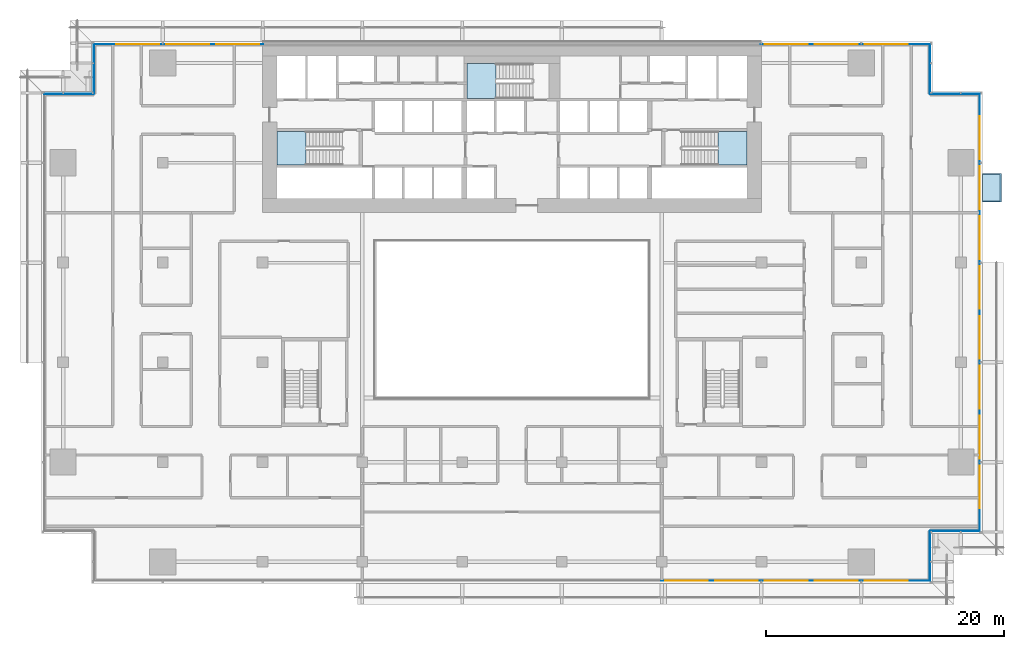
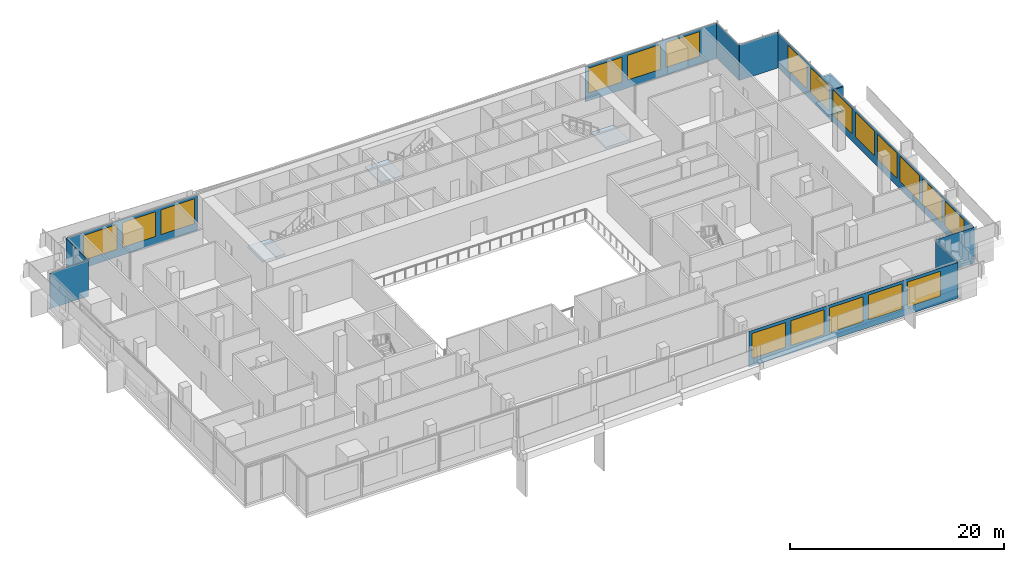
# One storey, part 12 of 24: 19 windows, 12 plates, 4 slabs, 19 openings, 12 elements without a shape of their own.
"""IFC4 building model written with IfcOpenShell, lengths in metres."""

from ifc_helpers import new_model, si_unit, direction, frame, frame_2d, origin, place, context, subcontext, project, spatial, polyline, rectangle, outline, extrude, material, layer, layer_set, type_object, element, fill, aggregate, save


model = new_model("IFC4")

# Units and contexts
model_context = context("Model", 3, precision=1e-05, world=origin(), true_north=direction((0.0, 1.0)))
body_context = subcontext(model_context, "Body", "Model", "MODEL_VIEW")
ifc_project = project(units=[si_unit("LENGTHUNIT", "METRE"), si_unit("AREAUNIT", "SQUARE_METRE"), si_unit("VOLUMEUNIT", "CUBIC_METRE"), si_unit("PLANEANGLEUNIT", "RADIAN"), si_unit("MASSUNIT", "GRAM", prefix="KILO")], contexts=[model_context])

# Site, building, storey
site_placement = place(None, origin())
site = spatial("IfcSite", under=ifc_project, at=site_placement, CompositionType="ELEMENT")
building_placement = place(site_placement, origin())
building = spatial("IfcBuilding", under=site, at=building_placement, Name="Saffron Gate Tower", CompositionType="ELEMENT")
storey_placement = place(building_placement, frame((0.0, 0.0, 28.199951171875)))
storey = spatial("IfcBuildingStorey", under=building, at=storey_placement, Name="L05", CompositionType="ELEMENT", Elevation=28.199951171875)

# Curtain wall, plate, openings, windows
ifc_material_1 = material(Name="Aluminium, bronze anodised", Category="aluminium")
curtain_wall_type = type_object("IfcCurtainWallType", Name="CWS6 curtain wall tall storeys", PredefinedType="NOTDEFINED", material=ifc_material_1)
curtain_wall_1_placement = place(storey_placement, origin())
curtain_wall_1 = element("IfcCurtainWall", 1, at=curtain_wall_1_placement, inside=storey, type_object=curtain_wall_type, Name="CWS6 run 1", PredefinedType="NOTDEFINED")
ifc_material_2 = material(Name="Fritted bronze-tinted laminated glass", Category="glass")
ifc_layer_1 = layer(ifc_material_2, 0.028076171875)
ifc_layer_set_1 = layer_set([ifc_layer_1], Name="CWS6 fixed glass")
plate_type_1 = type_object("IfcPlateType", Name="CWS6 fixed glass", PredefinedType="CURTAIN_PANEL", material=ifc_layer_set_1)
plate_1_placement = place(storey_placement, frame((100.159912109375, 30.214111328125, 0.0), z_axis=(0.0, 0.0, 1.0), x_axis=(1.0, 0.0, 0.0)))
plate_1 = element("IfcPlate", 2, at=plate_1_placement, type_object=plate_type_1, Name="CWS6 glass panel", PredefinedType="CURTAIN_PANEL", context=body_context, shape_type="SweptSolid", body=[
    extrude(rectangle(XDim=22.612060546875, YDim=0.028076171875, at=frame_2d((11.30615234375, 0.0))), origin(), (0.0, 0.0, 1.0), 4.080078125),
])
opening_1_placement = place(plate_1_placement, frame((0.340087890625, 0.0, 0.89990234375)))
opening_1 = element("IfcOpeningElement", 3, at=opening_1_placement, cuts=plate_1, Name="Opening W3", PredefinedType="OPENING", context=body_context, shape_type="SweptSolid", body=[
    extrude(rectangle(XDim=3.60009765625, YDim=2.830078125, at=frame_2d((1.800048828125, 1.4150390625))), frame((0.0, 0.02392578125, 0.0), z_axis=(0.0, -1.0, 0.0), x_axis=(1.0, 0.0, 0.0)), (0.0, 0.0, 1.0), 0.048095703125),
])
opening_2_placement = place(plate_1_placement, frame((4.5400390625, 0.0, 0.89990234375)))
opening_2 = element("IfcOpeningElement", 4, at=opening_2_placement, cuts=plate_1, Name="Opening W3", PredefinedType="OPENING", context=body_context, shape_type="SweptSolid", body=[
    extrude(rectangle(XDim=3.60009765625, YDim=2.830078125, at=frame_2d((1.800048828125, 1.4150390625))), frame((0.0, 0.02392578125, 0.0), z_axis=(0.0, -1.0, 0.0), x_axis=(1.0, 0.0, 0.0)), (0.0, 0.0, 1.0), 0.048095703125),
])
opening_3_placement = place(plate_1_placement, frame((8.739990234375, 0.0, 0.89990234375)))
opening_3 = element("IfcOpeningElement", 5, at=opening_3_placement, cuts=plate_1, Name="Opening W3", PredefinedType="OPENING", context=body_context, shape_type="SweptSolid", body=[
    extrude(rectangle(XDim=3.60009765625, YDim=2.830078125, at=frame_2d((1.800048828125, 1.4150390625))), frame((0.0, 0.02392578125, 0.0), z_axis=(0.0, -1.0, 0.0), x_axis=(1.0, 0.0, 0.0)), (0.0, 0.0, 1.0), 0.048095703125),
])
opening_4_placement = place(plate_1_placement, frame((12.93994140625, 0.0, 0.89990234375)))
opening_4 = element("IfcOpeningElement", 6, at=opening_4_placement, cuts=plate_1, Name="Opening W3", PredefinedType="OPENING", context=body_context, shape_type="SweptSolid", body=[
    extrude(rectangle(XDim=3.60009765625, YDim=2.830078125, at=frame_2d((1.800048828125, 1.4150390625))), frame((0.0, 0.02392578125, 0.0), z_axis=(0.0, -1.0, 0.0), x_axis=(1.0, 0.0, 0.0)), (0.0, 0.0, 1.0), 0.048095703125),
])
opening_5_placement = place(plate_1_placement, frame((17.139892578125, 0.0, 0.89990234375)))
opening_5 = element("IfcOpeningElement", 7, at=opening_5_placement, cuts=plate_1, Name="Opening W3", PredefinedType="OPENING", context=body_context, shape_type="SweptSolid", body=[
    extrude(rectangle(XDim=3.60009765625, YDim=2.830078125, at=frame_2d((1.800048828125, 1.4150390625))), frame((0.0, 0.02392578125, 0.0), z_axis=(0.0, -1.0, 0.0), x_axis=(1.0, 0.0, 0.0)), (0.0, 0.0, 1.0), 0.048095703125),
])
ifc_material_3 = material(Name="Fritted bronze-tinted laminated glass in bronze frame", Category="glass")
ifc_layer_2 = layer(ifc_material_3, 0.06005859375)
ifc_layer_set_2 = layer_set([ifc_layer_2], Name="W3 operable panel 3600x2830")
window_type = type_object("IfcWindowType", Name="W3 operable panel 3600x2830", PartitioningType="DOUBLE_PANEL_HORIZONTAL", PredefinedType="WINDOW", material=ifc_layer_set_2)
window_1_placement = place(opening_1_placement, origin())
window_1 = element("IfcWindow", 8, at=window_1_placement, type_object=window_type, Name="W3 operable panel", OverallHeight=2.830078125, OverallWidth=3.60009765625, PartitioningType="SINGLE_PANEL", PredefinedType="WINDOW", context=body_context, shape_type="SweptSolid", body=[
    extrude(rectangle(XDim=3.60009765625, YDim=2.830078125, at=frame_2d((1.800048828125, 1.4150390625))), frame((0.0, 0.013671875, 0.0), z_axis=(0.0, -1.0, 0.0), x_axis=(1.0, 0.0, 0.0)), (0.0, 0.0, 1.0), 0.027587890625),
])
fill(opening_1, window_1)
window_2_placement = place(opening_2_placement, origin())
window_2 = element("IfcWindow", 9, at=window_2_placement, type_object=window_type, Name="W3 operable panel", OverallHeight=2.830078125, OverallWidth=3.60009765625, PartitioningType="SINGLE_PANEL", PredefinedType="WINDOW", context=body_context, shape_type="SweptSolid", body=[
    extrude(rectangle(XDim=3.60009765625, YDim=2.830078125, at=frame_2d((1.800048828125, 1.4150390625))), frame((0.0, 0.013671875, 0.0), z_axis=(0.0, -1.0, 0.0), x_axis=(1.0, 0.0, 0.0)), (0.0, 0.0, 1.0), 0.027587890625),
])
fill(opening_2, window_2)
window_3_placement = place(opening_3_placement, origin())
window_3 = element("IfcWindow", 10, at=window_3_placement, type_object=window_type, Name="W3 operable panel", OverallHeight=2.830078125, OverallWidth=3.60009765625, PartitioningType="SINGLE_PANEL", PredefinedType="WINDOW", context=body_context, shape_type="SweptSolid", body=[
    extrude(rectangle(XDim=3.60009765625, YDim=2.830078125, at=frame_2d((1.800048828125, 1.4150390625))), frame((0.0, 0.013671875, 0.0), z_axis=(0.0, -1.0, 0.0), x_axis=(1.0, 0.0, 0.0)), (0.0, 0.0, 1.0), 0.027587890625),
])
fill(opening_3, window_3)
window_4_placement = place(opening_4_placement, origin())
window_4 = element("IfcWindow", 11, at=window_4_placement, type_object=window_type, Name="W3 operable panel", OverallHeight=2.830078125, OverallWidth=3.60009765625, PartitioningType="SINGLE_PANEL", PredefinedType="WINDOW", context=body_context, shape_type="SweptSolid", body=[
    extrude(rectangle(XDim=3.60009765625, YDim=2.830078125, at=frame_2d((1.800048828125, 1.4150390625))), frame((0.0, 0.013671875, 0.0), z_axis=(0.0, -1.0, 0.0), x_axis=(1.0, 0.0, 0.0)), (0.0, 0.0, 1.0), 0.027587890625),
])
fill(opening_4, window_4)
window_5_placement = place(opening_5_placement, origin())
window_5 = element("IfcWindow", 12, at=window_5_placement, type_object=window_type, Name="W3 operable panel", OverallHeight=2.830078125, OverallWidth=3.60009765625, PartitioningType="SINGLE_PANEL", PredefinedType="WINDOW", context=body_context, shape_type="SweptSolid", body=[
    extrude(rectangle(XDim=3.60009765625, YDim=2.830078125, at=frame_2d((1.800048828125, 1.4150390625))), frame((0.0, 0.013671875, 0.0), z_axis=(0.0, -1.0, 0.0), x_axis=(1.0, 0.0, 0.0)), (0.0, 0.0, 1.0), 0.027587890625),
])
fill(opening_5, window_5)
aggregate(curtain_wall_1, [plate_1, window_1, window_2, window_3, window_4, window_5])

# Curtain wall, plate
curtain_wall_2_placement = place(storey_placement, origin())
curtain_wall_2 = element("IfcCurtainWall", 13, at=curtain_wall_2_placement, inside=storey, type_object=curtain_wall_type, Name="CWS6 run 2", PredefinedType="NOTDEFINED")
plate_2_placement = place(storey_placement, frame((122.785888671875, 30.22802734375, 0.0), z_axis=(0.0, 0.0, 1.0), x_axis=(0.0, 1.0, 0.0)))
plate_2 = element("IfcPlate", 14, at=plate_2_placement, type_object=plate_type_1, Name="CWS6 glass panel", PredefinedType="CURTAIN_PANEL", context=body_context, shape_type="SweptSolid", body=[
    extrude(rectangle(XDim=4.171875, YDim=0.028076171875, at=frame_2d((2.0859375, 0.0))), origin(), (0.0, 0.0, 1.0), 4.080078125),
])
aggregate(curtain_wall_2, [plate_2])

curtain_wall_3_placement = place(storey_placement, origin())
curtain_wall_3 = element("IfcCurtainWall", 15, at=curtain_wall_3_placement, inside=storey, type_object=curtain_wall_type, Name="CWS6 run 3", PredefinedType="NOTDEFINED")
plate_3_placement = place(storey_placement, frame((122.800048828125, 34.4140625, 0.0), z_axis=(0.0, 0.0, 1.0), x_axis=(1.0, 0.0, 0.0)))
plate_3 = element("IfcPlate", 16, at=plate_3_placement, type_object=plate_type_1, Name="CWS6 glass panel", PredefinedType="CURTAIN_PANEL", context=body_context, shape_type="SweptSolid", body=[
    extrude(rectangle(XDim=4.171875, YDim=0.028076171875, at=frame_2d((2.0859375, 0.0))), origin(), (0.0, 0.0, 1.0), 4.080078125),
])
aggregate(curtain_wall_3, [plate_3])

# Curtain wall, plate, openings, windows
curtain_wall_4_placement = place(storey_placement, origin())
curtain_wall_4 = element("IfcCurtainWall", 17, at=curtain_wall_4_placement, inside=storey, type_object=curtain_wall_type, Name="CWS6 run 4", PredefinedType="NOTDEFINED")
plate_4_placement = place(storey_placement, frame((126.986083984375, 34.427978515625, 0.0), z_axis=(0.0, 0.0, 1.0), x_axis=(0.0, 1.0, 0.0)))
plate_4 = element("IfcPlate", 18, at=plate_4_placement, type_object=plate_type_1, Name="CWS6 glass panel", PredefinedType="CURTAIN_PANEL", context=body_context, shape_type="SweptSolid", body=[
    extrude(rectangle(XDim=36.744140625, YDim=0.028076171875, at=frame_2d((18.3720703125, 0.0))), origin(), (0.0, 0.0, 1.0), 4.080078125),
])
opening_6_placement = place(plate_4_placement, frame((1.8720703125, 0.0, 0.89990234375)))
opening_6 = element("IfcOpeningElement", 19, at=opening_6_placement, cuts=plate_4, Name="Opening W3", PredefinedType="OPENING", context=body_context, shape_type="SweptSolid", body=[
    extrude(rectangle(XDim=3.60009765625, YDim=2.830078125, at=frame_2d((1.800048828125, 1.4150390625))), frame((0.0, 0.02392578125, 0.0), z_axis=(0.0, -1.0, 0.0), x_axis=(1.0, 0.0, 0.0)), (0.0, 0.0, 1.0), 0.048095703125),
])
opening_7_placement = place(plate_4_placement, frame((6.072021484375, 0.0, 0.89990234375)))
opening_7 = element("IfcOpeningElement", 20, at=opening_7_placement, cuts=plate_4, Name="Opening W3", PredefinedType="OPENING", context=body_context, shape_type="SweptSolid", body=[
    extrude(rectangle(XDim=3.60009765625, YDim=2.830078125, at=frame_2d((1.800048828125, 1.4150390625))), frame((0.0, 0.02392578125, 0.0), z_axis=(0.0, -1.0, 0.0), x_axis=(1.0, 0.0, 0.0)), (0.0, 0.0, 1.0), 0.048095703125),
])
opening_8_placement = place(plate_4_placement, frame((10.27197265625, 0.0, 0.89990234375)))
opening_8 = element("IfcOpeningElement", 21, at=opening_8_placement, cuts=plate_4, Name="Opening W3", PredefinedType="OPENING", context=body_context, shape_type="SweptSolid", body=[
    extrude(rectangle(XDim=3.60009765625, YDim=2.830078125, at=frame_2d((1.800048828125, 1.4150390625))), frame((0.0, 0.02392578125, 0.0), z_axis=(0.0, -1.0, 0.0), x_axis=(1.0, 0.0, 0.0)), (0.0, 0.0, 1.0), 0.048095703125),
])
opening_9_placement = place(plate_4_placement, frame((14.471923828125, 0.0, 0.89990234375)))
opening_9 = element("IfcOpeningElement", 22, at=opening_9_placement, cuts=plate_4, Name="Opening W3", PredefinedType="OPENING", context=body_context, shape_type="SweptSolid", body=[
    extrude(rectangle(XDim=3.60009765625, YDim=2.830078125, at=frame_2d((1.800048828125, 1.4150390625))), frame((0.0, 0.02392578125, 0.0), z_axis=(0.0, -1.0, 0.0), x_axis=(1.0, 0.0, 0.0)), (0.0, 0.0, 1.0), 0.048095703125),
])
opening_10_placement = place(plate_4_placement, frame((18.672119140625, 0.0, 0.89990234375)))
opening_10 = element("IfcOpeningElement", 23, at=opening_10_placement, cuts=plate_4, Name="Opening W3", PredefinedType="OPENING", context=body_context, shape_type="SweptSolid", body=[
    extrude(rectangle(XDim=3.60009765625, YDim=2.830078125, at=frame_2d((1.800048828125, 1.4150390625))), frame((0.0, 0.02392578125, 0.0), z_axis=(0.0, -1.0, 0.0), x_axis=(1.0, 0.0, 0.0)), (0.0, 0.0, 1.0), 0.048095703125),
])
opening_11_placement = place(plate_4_placement, frame((22.8720703125, 0.0, 0.89990234375)))
opening_11 = element("IfcOpeningElement", 24, at=opening_11_placement, cuts=plate_4, Name="Opening W3", PredefinedType="OPENING", context=body_context, shape_type="SweptSolid", body=[
    extrude(rectangle(XDim=3.60009765625, YDim=2.830078125, at=frame_2d((1.800048828125, 1.4150390625))), frame((0.0, 0.02392578125, 0.0), z_axis=(0.0, -1.0, 0.0), x_axis=(1.0, 0.0, 0.0)), (0.0, 0.0, 1.0), 0.048095703125),
])
opening_12_placement = place(plate_4_placement, frame((27.072021484375, 0.0, 0.89990234375)))
opening_12 = element("IfcOpeningElement", 25, at=opening_12_placement, cuts=plate_4, Name="Opening W3", PredefinedType="OPENING", context=body_context, shape_type="SweptSolid", body=[
    extrude(rectangle(XDim=3.60009765625, YDim=2.830078125, at=frame_2d((1.800048828125, 1.4150390625))), frame((0.0, 0.02392578125, 0.0), z_axis=(0.0, -1.0, 0.0), x_axis=(1.0, 0.0, 0.0)), (0.0, 0.0, 1.0), 0.048095703125),
])
opening_13_placement = place(plate_4_placement, frame((31.27197265625, 0.0, 0.89990234375)))
opening_13 = element("IfcOpeningElement", 26, at=opening_13_placement, cuts=plate_4, Name="Opening W3", PredefinedType="OPENING", context=body_context, shape_type="SweptSolid", body=[
    extrude(rectangle(XDim=3.60009765625, YDim=2.830078125, at=frame_2d((1.800048828125, 1.4150390625))), frame((0.0, 0.02392578125, 0.0), z_axis=(0.0, -1.0, 0.0), x_axis=(1.0, 0.0, 0.0)), (0.0, 0.0, 1.0), 0.048095703125),
])
window_6_placement = place(opening_6_placement, origin())
window_6 = element("IfcWindow", 27, at=window_6_placement, type_object=window_type, Name="W3 operable panel", OverallHeight=2.830078125, OverallWidth=3.60009765625, PartitioningType="SINGLE_PANEL", PredefinedType="WINDOW", context=body_context, shape_type="SweptSolid", body=[
    extrude(rectangle(XDim=3.60009765625, YDim=2.830078125, at=frame_2d((1.800048828125, 1.4150390625))), frame((0.0, 0.013671875, 0.0), z_axis=(0.0, -1.0, 0.0), x_axis=(1.0, 0.0, 0.0)), (0.0, 0.0, 1.0), 0.027587890625),
])
fill(opening_6, window_6)
window_7_placement = place(opening_7_placement, origin())
window_7 = element("IfcWindow", 28, at=window_7_placement, type_object=window_type, Name="W3 operable panel", OverallHeight=2.830078125, OverallWidth=3.60009765625, PartitioningType="SINGLE_PANEL", PredefinedType="WINDOW", context=body_context, shape_type="SweptSolid", body=[
    extrude(rectangle(XDim=3.60009765625, YDim=2.830078125, at=frame_2d((1.800048828125, 1.4150390625))), frame((0.0, 0.013671875, 0.0), z_axis=(0.0, -1.0, 0.0), x_axis=(1.0, 0.0, 0.0)), (0.0, 0.0, 1.0), 0.027587890625),
])
fill(opening_7, window_7)
window_8_placement = place(opening_8_placement, origin())
window_8 = element("IfcWindow", 29, at=window_8_placement, type_object=window_type, Name="W3 operable panel", OverallHeight=2.830078125, OverallWidth=3.60009765625, PartitioningType="SINGLE_PANEL", PredefinedType="WINDOW", context=body_context, shape_type="SweptSolid", body=[
    extrude(rectangle(XDim=3.60009765625, YDim=2.830078125, at=frame_2d((1.800048828125, 1.4150390625))), frame((0.0, 0.013671875, 0.0), z_axis=(0.0, -1.0, 0.0), x_axis=(1.0, 0.0, 0.0)), (0.0, 0.0, 1.0), 0.027587890625),
])
fill(opening_8, window_8)
window_9_placement = place(opening_9_placement, origin())
window_9 = element("IfcWindow", 30, at=window_9_placement, type_object=window_type, Name="W3 operable panel", OverallHeight=2.830078125, OverallWidth=3.60009765625, PartitioningType="SINGLE_PANEL", PredefinedType="WINDOW", context=body_context, shape_type="SweptSolid", body=[
    extrude(rectangle(XDim=3.60009765625, YDim=2.830078125, at=frame_2d((1.800048828125, 1.4150390625))), frame((0.0, 0.013671875, 0.0), z_axis=(0.0, -1.0, 0.0), x_axis=(1.0, 0.0, 0.0)), (0.0, 0.0, 1.0), 0.027587890625),
])
fill(opening_9, window_9)
window_10_placement = place(opening_10_placement, origin())
window_10 = element("IfcWindow", 31, at=window_10_placement, type_object=window_type, Name="W3 operable panel", OverallHeight=2.830078125, OverallWidth=3.60009765625, PartitioningType="SINGLE_PANEL", PredefinedType="WINDOW", context=body_context, shape_type="SweptSolid", body=[
    extrude(rectangle(XDim=3.60009765625, YDim=2.830078125, at=frame_2d((1.800048828125, 1.4150390625))), frame((0.0, 0.013671875, 0.0), z_axis=(0.0, -1.0, 0.0), x_axis=(1.0, 0.0, 0.0)), (0.0, 0.0, 1.0), 0.027587890625),
])
fill(opening_10, window_10)
window_11_placement = place(opening_11_placement, origin())
window_11 = element("IfcWindow", 32, at=window_11_placement, type_object=window_type, Name="W3 operable panel", OverallHeight=2.830078125, OverallWidth=3.60009765625, PartitioningType="SINGLE_PANEL", PredefinedType="WINDOW", context=body_context, shape_type="SweptSolid", body=[
    extrude(rectangle(XDim=3.60009765625, YDim=2.830078125, at=frame_2d((1.800048828125, 1.4150390625))), frame((0.0, 0.013671875, 0.0), z_axis=(0.0, -1.0, 0.0), x_axis=(1.0, 0.0, 0.0)), (0.0, 0.0, 1.0), 0.027587890625),
])
fill(opening_11, window_11)
window_12_placement = place(opening_12_placement, origin())
window_12 = element("IfcWindow", 33, at=window_12_placement, type_object=window_type, Name="W3 operable panel", OverallHeight=2.830078125, OverallWidth=3.60009765625, PartitioningType="SINGLE_PANEL", PredefinedType="WINDOW", context=body_context, shape_type="SweptSolid", body=[
    extrude(rectangle(XDim=3.60009765625, YDim=2.830078125, at=frame_2d((1.800048828125, 1.4150390625))), frame((0.0, 0.013671875, 0.0), z_axis=(0.0, -1.0, 0.0), x_axis=(1.0, 0.0, 0.0)), (0.0, 0.0, 1.0), 0.027587890625),
])
fill(opening_12, window_12)
window_13_placement = place(opening_13_placement, origin())
window_13 = element("IfcWindow", 34, at=window_13_placement, type_object=window_type, Name="W3 operable panel", OverallHeight=2.830078125, OverallWidth=3.60009765625, PartitioningType="SINGLE_PANEL", PredefinedType="WINDOW", context=body_context, shape_type="SweptSolid", body=[
    extrude(rectangle(XDim=3.60009765625, YDim=2.830078125, at=frame_2d((1.800048828125, 1.4150390625))), frame((0.0, 0.013671875, 0.0), z_axis=(0.0, -1.0, 0.0), x_axis=(1.0, 0.0, 0.0)), (0.0, 0.0, 1.0), 0.027587890625),
])
fill(opening_13, window_13)
aggregate(curtain_wall_4, [plate_4, window_6, window_7, window_8, window_9, window_10, window_11, window_12, window_13])

# Curtain wall, plate
curtain_wall_5_placement = place(storey_placement, origin())
curtain_wall_5 = element("IfcCurtainWall", 35, at=curtain_wall_5_placement, inside=storey, type_object=curtain_wall_type, Name="CWS6 run 5", PredefinedType="NOTDEFINED")
plate_5_placement = place(storey_placement, frame((126.971923828125, 71.18603515625, 0.0), z_axis=(0.0, 0.0, 1.0), x_axis=(-1.0, 0.0, 0.0)))
plate_5 = element("IfcPlate", 36, at=plate_5_placement, type_object=plate_type_1, Name="CWS6 glass panel", PredefinedType="CURTAIN_PANEL", context=body_context, shape_type="SweptSolid", body=[
    extrude(rectangle(XDim=4.171875, YDim=0.028076171875, at=frame_2d((2.0859375, 0.0))), origin(), (0.0, 0.0, 1.0), 4.080078125),
])
aggregate(curtain_wall_5, [plate_5])

curtain_wall_6_placement = place(storey_placement, origin())
curtain_wall_6 = element("IfcCurtainWall", 37, at=curtain_wall_6_placement, inside=storey, type_object=curtain_wall_type, Name="CWS6 run 6", PredefinedType="NOTDEFINED")
plate_6_placement = place(storey_placement, frame((122.785888671875, 71.199951171875, 0.0), z_axis=(0.0, 0.0, 1.0), x_axis=(0.0, 1.0, 0.0)))
plate_6 = element("IfcPlate", 38, at=plate_6_placement, type_object=plate_type_1, Name="CWS6 glass panel", PredefinedType="CURTAIN_PANEL", context=body_context, shape_type="SweptSolid", body=[
    extrude(rectangle(XDim=4.172119140625, YDim=0.028076171875, at=frame_2d((2.0859375, 0.0))), origin(), (0.0, 0.0, 1.0), 4.080078125),
])
aggregate(curtain_wall_6, [plate_6])

# Curtain wall, plates, openings, windows
curtain_wall_7_placement = place(storey_placement, origin())
curtain_wall_7 = element("IfcCurtainWall", 39, at=curtain_wall_7_placement, inside=storey, type_object=curtain_wall_type, Name="CWS6 run 7", PredefinedType="NOTDEFINED")
plate_7_placement = place(storey_placement, frame((122.77197265625, 75.385986328125, 0.0), z_axis=(0.0, 0.0, 1.0), x_axis=(-1.0, 0.0, 0.0)))
plate_7 = element("IfcPlate", 40, at=plate_7_placement, type_object=plate_type_1, Name="CWS6 glass panel", PredefinedType="CURTAIN_PANEL", context=body_context, shape_type="SweptSolid", body=[
    extrude(rectangle(XDim=14.2119140625, YDim=0.028076171875, at=frame_2d((7.10595703125, 0.0))), origin(), (0.0, 0.0, 1.0), 4.080078125),
])
opening_14_placement = place(plate_7_placement, frame((1.8720703125, 0.0, 0.89990234375)))
opening_14 = element("IfcOpeningElement", 41, at=opening_14_placement, cuts=plate_7, Name="Opening W3", PredefinedType="OPENING", context=body_context, shape_type="SweptSolid", body=[
    extrude(rectangle(XDim=3.60009765625, YDim=2.830078125, at=frame_2d((1.800048828125, 1.4150390625))), frame((0.0, 0.02392578125, 0.0), z_axis=(0.0, -1.0, 0.0), x_axis=(1.0, 0.0, 0.0)), (0.0, 0.0, 1.0), 0.048095703125),
])
opening_15_placement = place(plate_7_placement, frame((6.072021484375, 0.0, 0.89990234375)))
opening_15 = element("IfcOpeningElement", 42, at=opening_15_placement, cuts=plate_7, Name="Opening W3", PredefinedType="OPENING", context=body_context, shape_type="SweptSolid", body=[
    extrude(rectangle(XDim=3.60009765625, YDim=2.830078125, at=frame_2d((1.800048828125, 1.4150390625))), frame((0.0, 0.02392578125, 0.0), z_axis=(0.0, -1.0, 0.0), x_axis=(1.0, 0.0, 0.0)), (0.0, 0.0, 1.0), 0.048095703125),
])
opening_16_placement = place(plate_7_placement, frame((10.27197265625, 0.0, 0.89990234375)))
opening_16 = element("IfcOpeningElement", 43, at=opening_16_placement, cuts=plate_7, Name="Opening W3", PredefinedType="OPENING", context=body_context, shape_type="SweptSolid", body=[
    extrude(rectangle(XDim=3.60009765625, YDim=2.830078125, at=frame_2d((1.800048828125, 1.4150390625))), frame((0.0, 0.02392578125, 0.0), z_axis=(0.0, -1.0, 0.0), x_axis=(1.0, 0.0, 0.0)), (0.0, 0.0, 1.0), 0.048095703125),
])
window_14_placement = place(opening_14_placement, origin())
window_14 = element("IfcWindow", 44, at=window_14_placement, type_object=window_type, Name="W3 operable panel", OverallHeight=2.830078125, OverallWidth=3.60009765625, PartitioningType="SINGLE_PANEL", PredefinedType="WINDOW", context=body_context, shape_type="SweptSolid", body=[
    extrude(rectangle(XDim=3.60009765625, YDim=2.830078125, at=frame_2d((1.800048828125, 1.4150390625))), frame((0.0, 0.013671875, 0.0), z_axis=(0.0, -1.0, 0.0), x_axis=(1.0, 0.0, 0.0)), (0.0, 0.0, 1.0), 0.027587890625),
])
fill(opening_14, window_14)
window_15_placement = place(opening_15_placement, origin())
window_15 = element("IfcWindow", 45, at=window_15_placement, type_object=window_type, Name="W3 operable panel", OverallHeight=2.830078125, OverallWidth=3.60009765625, PartitioningType="SINGLE_PANEL", PredefinedType="WINDOW", context=body_context, shape_type="SweptSolid", body=[
    extrude(rectangle(XDim=3.60009765625, YDim=2.830078125, at=frame_2d((1.800048828125, 1.4150390625))), frame((0.0, 0.013671875, 0.0), z_axis=(0.0, -1.0, 0.0), x_axis=(1.0, 0.0, 0.0)), (0.0, 0.0, 1.0), 0.027587890625),
])
fill(opening_15, window_15)
window_16_placement = place(opening_16_placement, origin())
window_16 = element("IfcWindow", 46, at=window_16_placement, type_object=window_type, Name="W3 operable panel", OverallHeight=2.830078125, OverallWidth=3.60009765625, PartitioningType="SINGLE_PANEL", PredefinedType="WINDOW", context=body_context, shape_type="SweptSolid", body=[
    extrude(rectangle(XDim=3.60009765625, YDim=2.830078125, at=frame_2d((1.800048828125, 1.4150390625))), frame((0.0, 0.013671875, 0.0), z_axis=(0.0, -1.0, 0.0), x_axis=(1.0, 0.0, 0.0)), (0.0, 0.0, 1.0), 0.027587890625),
])
fill(opening_16, window_16)
plate_8_placement = place(storey_placement, frame((66.639892578125, 75.385986328125, 0.0), z_axis=(0.0, 0.0, 1.0), x_axis=(-1.0, 0.0, 0.0)))
plate_8 = element("IfcPlate", 47, at=plate_8_placement, type_object=plate_type_1, Name="CWS6 glass panel", PredefinedType="CURTAIN_PANEL", context=body_context, shape_type="SweptSolid", body=[
    extrude(rectangle(XDim=14.2119140625, YDim=0.028076171875, at=frame_2d((7.10595703125, 0.0))), origin(), (0.0, 0.0, 1.0), 4.080078125),
])
opening_17_placement = place(plate_8_placement, frame((0.340087890625, 0.0, 0.89990234375)))
opening_17 = element("IfcOpeningElement", 48, at=opening_17_placement, cuts=plate_8, Name="Opening W3", PredefinedType="OPENING", context=body_context, shape_type="SweptSolid", body=[
    extrude(rectangle(XDim=3.60009765625, YDim=2.830078125, at=frame_2d((1.800048828125, 1.4150390625))), frame((0.0, 0.02392578125, 0.0), z_axis=(0.0, -1.0, 0.0), x_axis=(1.0, 0.0, 0.0)), (0.0, 0.0, 1.0), 0.048095703125),
])
opening_18_placement = place(plate_8_placement, frame((4.5400390625, 0.0, 0.89990234375)))
opening_18 = element("IfcOpeningElement", 49, at=opening_18_placement, cuts=plate_8, Name="Opening W3", PredefinedType="OPENING", context=body_context, shape_type="SweptSolid", body=[
    extrude(rectangle(XDim=3.60009765625, YDim=2.830078125, at=frame_2d((1.800048828125, 1.4150390625))), frame((0.0, 0.02392578125, 0.0), z_axis=(0.0, -1.0, 0.0), x_axis=(1.0, 0.0, 0.0)), (0.0, 0.0, 1.0), 0.048095703125),
])
opening_19_placement = place(plate_8_placement, frame((8.739990234375, 0.0, 0.89990234375)))
opening_19 = element("IfcOpeningElement", 50, at=opening_19_placement, cuts=plate_8, Name="Opening W3", PredefinedType="OPENING", context=body_context, shape_type="SweptSolid", body=[
    extrude(rectangle(XDim=3.60009765625, YDim=2.830078125, at=frame_2d((1.800048828125, 1.4150390625))), frame((0.0, 0.02392578125, 0.0), z_axis=(0.0, -1.0, 0.0), x_axis=(1.0, 0.0, 0.0)), (0.0, 0.0, 1.0), 0.048095703125),
])
window_17_placement = place(opening_17_placement, origin())
window_17 = element("IfcWindow", 51, at=window_17_placement, type_object=window_type, Name="W3 operable panel", OverallHeight=2.830078125, OverallWidth=3.60009765625, PartitioningType="SINGLE_PANEL", PredefinedType="WINDOW", context=body_context, shape_type="SweptSolid", body=[
    extrude(rectangle(XDim=3.60009765625, YDim=2.830078125, at=frame_2d((1.800048828125, 1.4150390625))), frame((0.0, 0.013671875, 0.0), z_axis=(0.0, -1.0, 0.0), x_axis=(1.0, 0.0, 0.0)), (0.0, 0.0, 1.0), 0.027587890625),
])
fill(opening_17, window_17)
window_18_placement = place(opening_18_placement, origin())
window_18 = element("IfcWindow", 52, at=window_18_placement, type_object=window_type, Name="W3 operable panel", OverallHeight=2.830078125, OverallWidth=3.60009765625, PartitioningType="SINGLE_PANEL", PredefinedType="WINDOW", context=body_context, shape_type="SweptSolid", body=[
    extrude(rectangle(XDim=3.60009765625, YDim=2.830078125, at=frame_2d((1.800048828125, 1.4150390625))), frame((0.0, 0.013671875, 0.0), z_axis=(0.0, -1.0, 0.0), x_axis=(1.0, 0.0, 0.0)), (0.0, 0.0, 1.0), 0.027587890625),
])
fill(opening_18, window_18)
window_19_placement = place(opening_19_placement, origin())
window_19 = element("IfcWindow", 53, at=window_19_placement, type_object=window_type, Name="W3 operable panel", OverallHeight=2.830078125, OverallWidth=3.60009765625, PartitioningType="SINGLE_PANEL", PredefinedType="WINDOW", context=body_context, shape_type="SweptSolid", body=[
    extrude(rectangle(XDim=3.60009765625, YDim=2.830078125, at=frame_2d((1.800048828125, 1.4150390625))), frame((0.0, 0.013671875, 0.0), z_axis=(0.0, -1.0, 0.0), x_axis=(1.0, 0.0, 0.0)), (0.0, 0.0, 1.0), 0.027587890625),
])
fill(opening_19, window_19)
aggregate(curtain_wall_7, [plate_7, plate_8, window_14, window_15, window_16, window_17, window_18, window_19])

# Curtain wall, plate
curtain_wall_8_placement = place(storey_placement, origin())
curtain_wall_8 = element("IfcCurtainWall", 54, at=curtain_wall_8_placement, inside=storey, type_object=curtain_wall_type, Name="CWS6 run 8", PredefinedType="NOTDEFINED")
plate_9_placement = place(storey_placement, frame((52.4140625, 75.3720703125, 0.0), z_axis=(0.0, 0.0, 1.0), x_axis=(0.0, -1.0, 0.0)))
plate_9 = element("IfcPlate", 55, at=plate_9_placement, type_object=plate_type_1, Name="CWS6 glass panel", PredefinedType="CURTAIN_PANEL", context=body_context, shape_type="SweptSolid", body=[
    extrude(rectangle(XDim=4.172119140625, YDim=0.028076171875, at=frame_2d((2.0859375, 0.0))), origin(), (0.0, 0.0, 1.0), 4.080078125),
])
aggregate(curtain_wall_8, [plate_9])

curtain_wall_9_placement = place(storey_placement, origin())
curtain_wall_9 = element("IfcCurtainWall", 56, at=curtain_wall_9_placement, inside=storey, type_object=curtain_wall_type, Name="CWS6 run 9", PredefinedType="NOTDEFINED")
plate_10_placement = place(storey_placement, frame((52.39990234375, 71.18603515625, 0.0), z_axis=(0.0, 0.0, 1.0), x_axis=(-1.0, 0.0, 0.0)))
plate_10 = element("IfcPlate", 57, at=plate_10_placement, type_object=plate_type_1, Name="CWS6 glass panel", PredefinedType="CURTAIN_PANEL", context=body_context, shape_type="SweptSolid", body=[
    extrude(rectangle(XDim=4.171875, YDim=0.028076171875, at=frame_2d((2.0859375, 0.0))), origin(), (0.0, 0.0, 1.0), 4.080078125),
])
aggregate(curtain_wall_9, [plate_10])

# Stair, slab
ifc_material_4 = material(Name="Concrete C40", Category="concrete")
stair_type = type_object("IfcStairType", Name="ST6 Stair 1350 wide, 24 risers of 188", PredefinedType="HALF_TURN_STAIR", material=ifc_material_4)
stair_1_placement = place(storey_placement, origin())
stair_1 = element("IfcStair", 58, at=stair_1_placement, inside=storey, type_object=stair_type, Name="L05 Exit stair A", PredefinedType="HALF_TURN_STAIR")
ifc_layer_3 = layer(ifc_material_4, 0.199951171875)
ifc_layer_set_3 = layer_set([ifc_layer_3], Name="SL1 Stair landing 200")
slab_type_1 = type_object("IfcSlabType", Name="SL1 Stair landing 200", PredefinedType="LANDING", material=ifc_layer_set_3)
slab_1_placement = place(storey_placement, frame((0.0, 0.0, 2.050048828125)))
slab_1 = element("IfcSlab", 59, at=slab_1_placement, type_object=slab_type_1, Name="ST-A landing 1", PredefinedType="LANDING", context=body_context, shape_type="SweptSolid", body=[
    extrude(outline(polyline([(70.27001953125, 68.050048828125), (67.800048828125, 68.050048828125), (67.800048828125, 65.199951171875), (70.27001953125, 65.199951171875), (70.27001953125, 68.050048828125)])), origin(), (0.0, 0.0, 1.0), 0.199951171875),
])
aggregate(stair_1, [slab_1])

stair_2_placement = place(storey_placement, origin())
stair_2 = element("IfcStair", 60, at=stair_2_placement, inside=storey, type_object=stair_type, Name="L05 Exit stair B", PredefinedType="HALF_TURN_STAIR")
slab_2_placement = place(storey_placement, frame((0.0, 0.0, 2.050048828125)))
slab_2 = element("IfcSlab", 61, at=slab_2_placement, type_object=slab_type_1, Name="ST-B landing 1", PredefinedType="LANDING", context=body_context, shape_type="SweptSolid", body=[
    extrude(outline(polyline([(104.929931640625, 65.199951171875), (107.39990234375, 65.199951171875), (107.39990234375, 68.050048828125), (104.929931640625, 68.050048828125), (104.929931640625, 65.199951171875)])), origin(), (0.0, 0.0, 1.0), 0.199951171875),
])
aggregate(stair_2, [slab_2])

stair_3_placement = place(storey_placement, origin())
stair_3 = element("IfcStair", 62, at=stair_3_placement, inside=storey, type_object=stair_type, Name="L05 Exit stair C", PredefinedType="HALF_TURN_STAIR")
slab_3_placement = place(storey_placement, frame((0.0, 0.0, 2.050048828125)))
slab_3 = element("IfcSlab", 63, at=slab_3_placement, type_object=slab_type_1, Name="ST-C landing 1", PredefinedType="LANDING", context=body_context, shape_type="SweptSolid", body=[
    extrude(outline(polyline([(86.27001953125, 73.75), (83.800048828125, 73.75), (83.800048828125, 70.800048828125), (86.27001953125, 70.800048828125), (86.27001953125, 73.75)])), origin(), (0.0, 0.0, 1.0), 0.199951171875),
])
aggregate(stair_3, [slab_3])

# Slab
ifc_material_5 = material(Name="Timber deck on bronze frame", Category="wood")
ifc_layer_4 = layer(ifc_material_5, 0.199951171875)
ifc_layer_set_4 = layer_set([ifc_layer_4], Name="WB1 box floor")
slab_type_2 = type_object("IfcSlabType", Name="WB1 box floor", PredefinedType="FLOOR", material=ifc_layer_set_4)
slab_4_placement = place(storey_placement, frame((0.0, 0.0, -0.199951171875)))
element("IfcSlab", 64, at=slab_4_placement, inside=storey, type_object=slab_type_2, Name="WINDOW BOX floor", PredefinedType="FLOOR", context=body_context, shape_type="SweptSolid", body=[
    extrude(outline(polyline([(127.199951171875, 62.10009765625), (127.199951171875, 64.5), (128.800048828125, 64.5), (128.800048828125, 62.10009765625), (127.199951171875, 62.10009765625)])), origin(), (0.0, 0.0, 1.0), 0.199951171875),
])

# Plates
ifc_layer_5 = layer(ifc_material_1, 0.1201171875)
ifc_layer_set_5 = layer_set([ifc_layer_5], Name="WB2 box roof")
plate_type_2 = type_object("IfcPlateType", Name="WB2 box roof", PredefinedType="SHEET", material=ifc_layer_set_5)
plate_11_placement = place(storey_placement, frame((0.0, 0.0, 2.699951171875)))
element("IfcPlate", 65, at=plate_11_placement, inside=storey, type_object=plate_type_2, Name="WINDOW BOX roof", PredefinedType="SHEET", context=body_context, shape_type="SweptSolid", body=[
    extrude(outline(polyline([(127.199951171875, 62.10009765625), (127.199951171875, 64.5), (128.800048828125, 64.5), (128.800048828125, 62.10009765625), (127.199951171875, 62.10009765625)])), origin(), (0.0, 0.0, 1.0), 0.1201171875),
])
ifc_material_6 = material(Name="Clear low-iron laminated glass", Category="glass")
ifc_layer_6 = layer(ifc_material_6, 0.10009765625)
ifc_layer_set_6 = layer_set([ifc_layer_6], Name="WB6 box glazing")
plate_type_3 = type_object("IfcPlateType", Name="WB6 box glazing", PredefinedType="SHEET", material=ifc_layer_set_6)
plate_12_placement = place(storey_placement, frame((0.0, 0.0, 1.0)))
element("IfcPlate", 66, at=plate_12_placement, inside=storey, type_object=plate_type_3, Name="WINDOW BOX glazing", PredefinedType="SHEET", context=body_context, shape_type="SweptSolid", body=[
    extrude(outline(polyline([(127.199951171875, 62.10009765625), (127.199951171875, 62.199951171875), (128.699951171875, 62.199951171875), (128.699951171875, 64.39990234375), (127.199951171875, 64.39990234375), (127.199951171875, 64.5), (128.800048828125, 64.5), (128.800048828125, 62.10009765625), (127.199951171875, 62.10009765625)])), origin(), (0.0, 0.0, 1.0), 1.699951171875),
])

save(model, "model.ifc")
